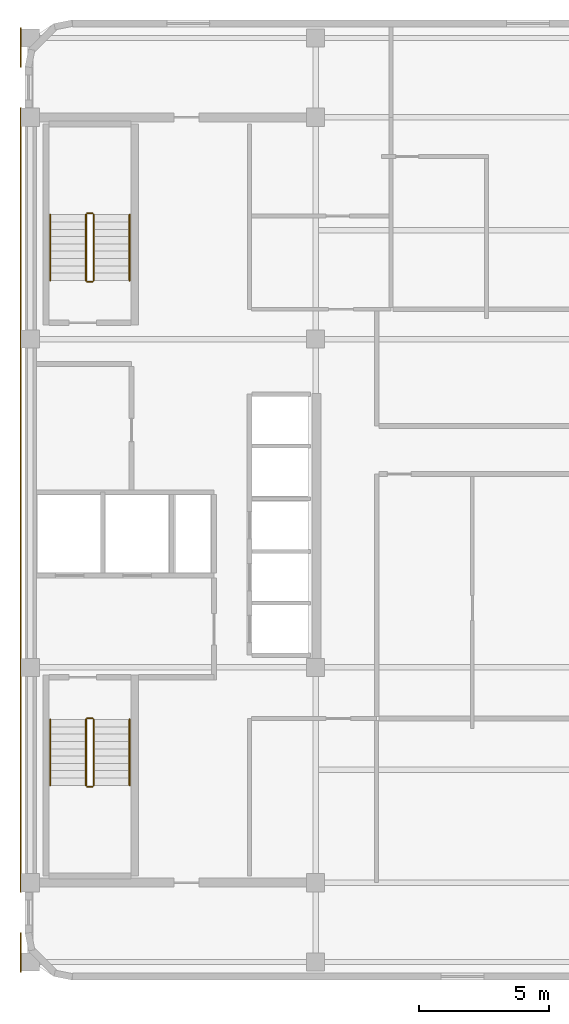
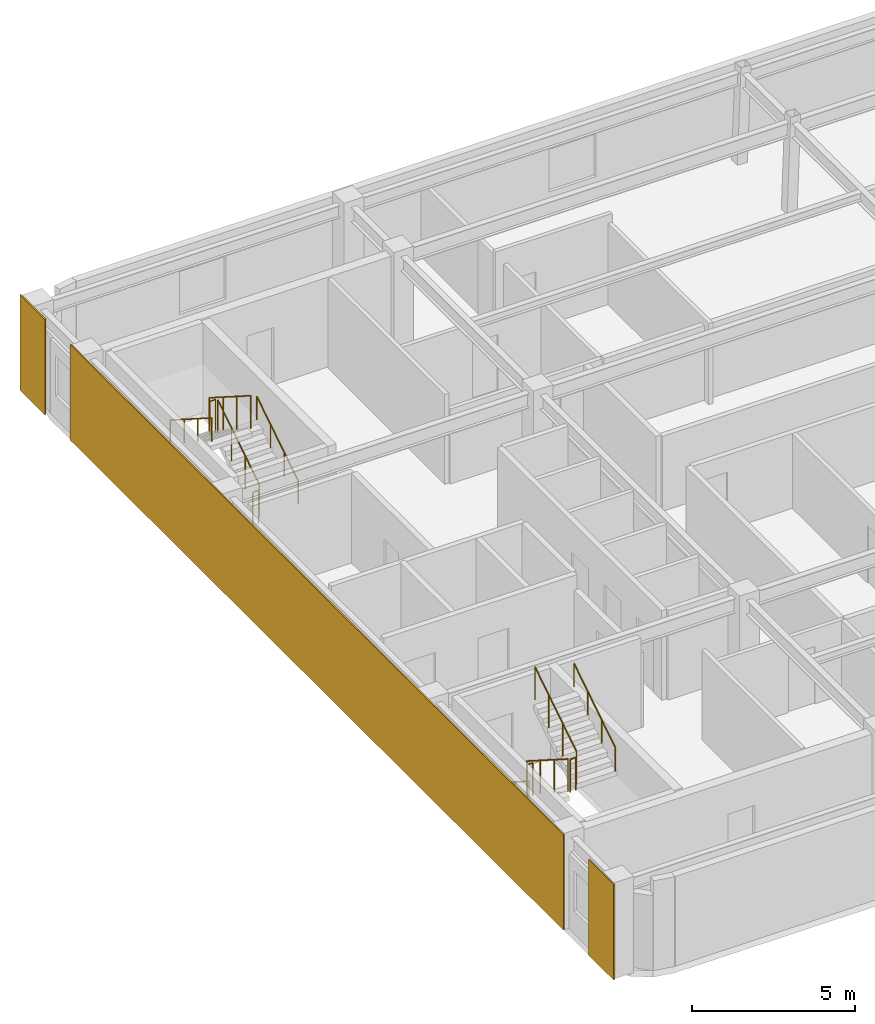
# One storey, part 6 of 6: 12 railings, 3 coverings.
"""IFC4 building model written with IfcOpenShell, lengths in metres."""

from ifc_helpers import new_model, si_unit, direction, frame, origin, origin_2d, place, context, subcontext, project, spatial, rectangle, circle, extrude, material, layer, layer_set, type_object, element, save


model = new_model("IFC4")

# Units and contexts
model_context = context("Model", 3, precision=1e-05, world=origin(), true_north=direction((0.0, 1.0)))
body_context = subcontext(model_context, "Body", "Model", "MODEL_VIEW")
ifc_project = project(units=[si_unit("LENGTHUNIT", "METRE"), si_unit("AREAUNIT", "SQUARE_METRE"), si_unit("VOLUMEUNIT", "CUBIC_METRE"), si_unit("PLANEANGLEUNIT", "RADIAN"), si_unit("MASSUNIT", "GRAM", prefix="KILO")], contexts=[model_context])

# Site, building, storey
site_placement = place(None, origin())
site = spatial("IfcSite", under=ifc_project, at=site_placement, CompositionType="ELEMENT")
building_placement = place(site_placement, origin())
building = spatial("IfcBuilding", under=site, at=building_placement, Name="Ochreholt Gables", CompositionType="ELEMENT")
storey_placement = place(building_placement, frame((0.0, 0.0, 260.39990234375)))
storey = spatial("IfcBuildingStorey", under=building, at=storey_placement, Name="L68", CompositionType="ELEMENT", Elevation=260.39990234375)

# Coverings
ifc_material_1 = material(Name="Glazed Ochre Terracotta Rainscreen Cladding", Category="masonry")
ifc_layer = layer(ifc_material_1, 0.044921875, Name="Glazed Ochre Terracotta Rainscreen Cladding")
ifc_layer_set = layer_set([ifc_layer], Name="Glazed Ochre Terracotta Rainscreen Cladding")
covering_type = type_object("IfcCoveringType", Name="COV-CLAD-TC", PredefinedType="CLADDING", material=ifc_layer_set)
covering_placement = place(storey_placement, frame((23.827880859375, 24.0, 0.010009765625), z_axis=(0.0, 0.0, 1.0), x_axis=(0.0, 1.0, 0.0)))
element("IfcCovering", 1, at=covering_placement, inside=storey, type_object=covering_type, Name="L68 West Core Terracotta Rainscreen Cladding", PredefinedType="CLADDING", context=body_context, shape_type="SweptSolid", body=[
    extrude(rectangle(XDim=30.239990234375, YDim=0.044921875, at=origin_2d()), origin(), (0.0, 0.0, 1.0), 3.580078125),
])
for number, where, z_axis, x_axis, name in (
    (2, (23.827880859375, 6.56005859375, 0.010009765625), (0.0, 0.0, 1.0), (0.0, 1.0, 0.0), "L68 South-West Pier Terracotta Cladding"),
    (3, (23.827880859375, 41.43994140625, 0.010009765625), (0.0, 0.0, 1.0), (0.0, 1.0, 0.0), "L68 North-West Pier Terracotta Cladding"),
):
    element("IfcCovering", number, at=place(storey_placement, frame(where, z_axis=z_axis, x_axis=x_axis)), inside=storey, type_object=covering_type, Name=name, PredefinedType="CLADDING", context=body_context, shape_type="SweptSolid", body=[
        extrude(rectangle(XDim=1.52001953125, YDim=0.044921875, at=origin_2d()), origin(), (0.0, 0.0, 1.0), 3.580078125),
    ])

# Railings
ifc_material_2 = material(Name="Painted Steel Stair Guardrail", Category="steel")
railing_type_1 = type_object("IfcRailingType", Name="RL-ST-GUARD", PredefinedType="GUARDRAIL", material=ifc_material_2)
railing_1_placement = place(storey_placement, frame((26.35009765625, 15.5400390625, 0.18017578125)))
element("IfcRailing", 4, at=railing_1_placement, inside=storey, type_object=railing_type_1, Name="L68 ST-1 stair guard 1", PredefinedType="GUARDRAIL", context=body_context, shape_type="SweptSolid", body=[
    extrude(circle(Radius=0.02392578125, at=origin_2d()), frame((0.0, 0.0, 1.22607421875), z_axis=(0.0, -0.842949592929, 0.537992549931), x_axis=(1.0, 0.0, 0.0)), (0.0, 0.0, 1.0), 3.010986328125),
    extrude(circle(Radius=0.02099609375, at=origin_2d()), origin(), (0.0, 0.0, 1.0), 1.201904296875),
    extrude(circle(Radius=0.02099609375, at=origin_2d()), frame((0.0, -0.845947265625, 0.5400390625)), (0.0, 0.0, 1.0), 1.201904296875),
    extrude(circle(Radius=0.02099609375, at=origin_2d()), frame((0.0, -1.692138671875, 1.079833984375)), (0.0, 0.0, 1.0), 1.201904296875),
    extrude(circle(Radius=0.02099609375, at=origin_2d()), frame((0.0, -2.5380859375, 1.619873046875)), (0.0, 0.0, 1.0), 1.201904296875),
])
railing_2_placement = place(storey_placement, frame((26.39990234375, 12.951904296875, 1.800048828125)))
element("IfcRailing", 5, at=railing_2_placement, inside=storey, type_object=railing_type_1, Name="L68 ST-1 stair guard 2", PredefinedType="GUARDRAIL", context=body_context, shape_type="SweptSolid", body=[
    extrude(circle(Radius=0.02392578125, at=origin_2d()), frame((0.0, 0.0, 1.22607421875), z_axis=(1.0, 0.0, 0.0), x_axis=(0.0, 1.0, 0.0)), (0.0, 0.0, 1.0), 0.2001953125),
    extrude(circle(Radius=0.02099609375, at=origin_2d()), origin(), (0.0, 0.0, 1.0), 1.201904296875),
    extrude(circle(Radius=0.02099609375, at=origin_2d()), frame((0.2001953125, 0.0, 0.0)), (0.0, 0.0, 1.0), 1.201904296875),
])
railing_3_placement = place(storey_placement, frame((26.64990234375, 13.001953125, 1.97998046875)))
element("IfcRailing", 6, at=railing_3_placement, inside=storey, type_object=railing_type_1, Name="L68 ST-1 stair guard 3", PredefinedType="GUARDRAIL", context=body_context, shape_type="SweptSolid", body=[
    extrude(circle(Radius=0.02392578125, at=origin_2d()), frame((0.0, 0.0, 1.22607421875), z_axis=(0.0, 0.842912820907, 0.538050161556), x_axis=(-1.0, 0.0, 0.0)), (0.0, 0.0, 1.0), 3.010986328125),
    extrude(circle(Radius=0.02099609375, at=origin_2d()), origin(), (0.0, 0.0, 1.0), 1.201904296875),
    extrude(circle(Radius=0.02099609375, at=origin_2d()), frame((0.0, 0.845947265625, 0.5400390625)), (0.0, 0.0, 1.0), 1.201904296875),
    extrude(circle(Radius=0.02099609375, at=origin_2d()), frame((0.0, 1.692138671875, 1.080078125)), (0.0, 0.0, 1.0), 1.201904296875),
    extrude(circle(Radius=0.02099609375, at=origin_2d()), frame((0.0, 2.5380859375, 1.6201171875)), (0.0, 0.0, 1.0), 1.201904296875),
])
railing_4_placement = place(storey_placement, frame((26.39990234375, 15.590087890625, 0.0)))
element("IfcRailing", 7, at=railing_4_placement, inside=storey, type_object=railing_type_1, Name="L68 ST-1 stair guard 4", PredefinedType="GUARDRAIL", context=body_context, shape_type="SweptSolid", body=[
    extrude(circle(Radius=0.02392578125, at=origin_2d()), frame((0.0, 0.0, 1.22607421875), z_axis=(1.0, 0.0, 0.0), x_axis=(0.0, 1.0, 0.0)), (0.0, 0.0, 1.0), 0.2001953125),
    extrude(circle(Radius=0.02099609375, at=origin_2d()), origin(), (0.0, 0.0, 1.0), 1.201904296875),
    extrude(circle(Radius=0.02099609375, at=origin_2d()), frame((0.2001953125, 0.0, 0.0)), (0.0, 0.0, 1.0), 1.201904296875),
])
railing_5_placement = place(storey_placement, frame((26.64990234375, 32.4599609375, 0.18017578125)))
element("IfcRailing", 8, at=railing_5_placement, inside=storey, type_object=railing_type_1, Name="L68 ST-2 stair guard 1", PredefinedType="GUARDRAIL", context=body_context, shape_type="SweptSolid", body=[
    extrude(circle(Radius=0.02392578125, at=origin_2d()), frame((0.0, 0.0, 1.22607421875), z_axis=(0.0, 0.842949592929, 0.537992549931), x_axis=(-1.0, 0.0, 0.0)), (0.0, 0.0, 1.0), 3.010986328125),
    extrude(circle(Radius=0.02099609375, at=origin_2d()), origin(), (0.0, 0.0, 1.0), 1.201904296875),
    extrude(circle(Radius=0.02099609375, at=origin_2d()), frame((0.0, 0.845947265625, 0.5400390625)), (0.0, 0.0, 1.0), 1.201904296875),
    extrude(circle(Radius=0.02099609375, at=origin_2d()), frame((0.0, 1.692138671875, 1.079833984375)), (0.0, 0.0, 1.0), 1.201904296875),
    extrude(circle(Radius=0.02099609375, at=origin_2d()), frame((0.0, 2.5380859375, 1.619873046875)), (0.0, 0.0, 1.0), 1.201904296875),
])
railing_6_placement = place(storey_placement, frame((26.60009765625, 35.048095703125, 1.800048828125)))
element("IfcRailing", 9, at=railing_6_placement, inside=storey, type_object=railing_type_1, Name="L68 ST-2 stair guard 2", PredefinedType="GUARDRAIL", context=body_context, shape_type="SweptSolid", body=[
    extrude(circle(Radius=0.02392578125, at=origin_2d()), frame((0.0, 0.0, 1.22607421875), z_axis=(-1.0, 0.0, 0.0), x_axis=(0.0, -1.0, 0.0)), (0.0, 0.0, 1.0), 0.2001953125),
    extrude(circle(Radius=0.02099609375, at=origin_2d()), origin(), (0.0, 0.0, 1.0), 1.201904296875),
    extrude(circle(Radius=0.02099609375, at=origin_2d()), frame((-0.2001953125, 0.0, 0.0)), (0.0, 0.0, 1.0), 1.201904296875),
])
railing_7_placement = place(storey_placement, frame((26.35009765625, 34.998046875, 1.97998046875)))
element("IfcRailing", 10, at=railing_7_placement, inside=storey, type_object=railing_type_1, Name="L68 ST-2 stair guard 3", PredefinedType="GUARDRAIL", context=body_context, shape_type="SweptSolid", body=[
    extrude(circle(Radius=0.02392578125, at=origin_2d()), frame((0.0, 0.0, 1.22607421875), z_axis=(0.0, -0.842912820907, 0.538050161556), x_axis=(1.0, 0.0, 0.0)), (0.0, 0.0, 1.0), 3.010986328125),
    extrude(circle(Radius=0.02099609375, at=origin_2d()), origin(), (0.0, 0.0, 1.0), 1.201904296875),
    extrude(circle(Radius=0.02099609375, at=origin_2d()), frame((0.0, -0.845947265625, 0.5400390625)), (0.0, 0.0, 1.0), 1.201904296875),
    extrude(circle(Radius=0.02099609375, at=origin_2d()), frame((0.0, -1.692138671875, 1.080078125)), (0.0, 0.0, 1.0), 1.201904296875),
    extrude(circle(Radius=0.02099609375, at=origin_2d()), frame((0.0, -2.5380859375, 1.6201171875)), (0.0, 0.0, 1.0), 1.201904296875),
])
railing_8_placement = place(storey_placement, frame((26.60009765625, 32.409912109375, 0.0)))
element("IfcRailing", 11, at=railing_8_placement, inside=storey, type_object=railing_type_1, Name="L68 ST-2 stair guard 4", PredefinedType="GUARDRAIL", context=body_context, shape_type="SweptSolid", body=[
    extrude(circle(Radius=0.02392578125, at=origin_2d()), frame((0.0, 0.0, 1.22607421875), z_axis=(-1.0, 0.0, 0.0), x_axis=(0.0, -1.0, 0.0)), (0.0, 0.0, 1.0), 0.2001953125),
    extrude(circle(Radius=0.02099609375, at=origin_2d()), origin(), (0.0, 0.0, 1.0), 1.201904296875),
    extrude(circle(Radius=0.02099609375, at=origin_2d()), frame((-0.2001953125, 0.0, 0.0)), (0.0, 0.0, 1.0), 1.201904296875),
])
ifc_material_3 = material(Name="Brushed Stainless Steel Wall Handrail", Category="steel")
railing_type_2 = type_object("IfcRailingType", Name="RL-ST-HAND", PredefinedType="HANDRAIL", material=ifc_material_3)
railing_9_placement = place(storey_placement, frame((24.969970703125, 15.5400390625, 0.18017578125)))
element("IfcRailing", 12, at=railing_9_placement, inside=storey, type_object=railing_type_2, Name="L68 ST-1 stair handrail 1", PredefinedType="HANDRAIL", context=body_context, shape_type="SweptSolid", body=[
    extrude(circle(Radius=0.02392578125, at=origin_2d()), frame((0.0, 0.0, 0.8759765625), z_axis=(0.0, -0.842949592929, 0.537992549931), x_axis=(1.0, 0.0, 0.0)), (0.0, 0.0, 1.0), 3.010986328125),
    extrude(circle(Radius=0.02099609375, at=origin_2d()), origin(), (0.0, 0.0, 1.0), 0.851806640625),
    extrude(circle(Radius=0.02099609375, at=origin_2d()), frame((0.0, -0.845947265625, 0.5400390625)), (0.0, 0.0, 1.0), 0.851806640625),
    extrude(circle(Radius=0.02099609375, at=origin_2d()), frame((0.0, -1.692138671875, 1.079833984375)), (0.0, 0.0, 1.0), 0.851806640625),
    extrude(circle(Radius=0.02099609375, at=origin_2d()), frame((0.0, -2.5380859375, 1.619873046875)), (0.0, 0.0, 1.0), 0.851806640625),
])
railing_10_placement = place(storey_placement, frame((28.030029296875, 13.001953125, 1.97998046875)))
element("IfcRailing", 13, at=railing_10_placement, inside=storey, type_object=railing_type_2, Name="L68 ST-1 stair handrail 2", PredefinedType="HANDRAIL", context=body_context, shape_type="SweptSolid", body=[
    extrude(circle(Radius=0.02392578125, at=origin_2d()), frame((0.0, 0.0, 0.8759765625), z_axis=(0.0, 0.842912820907, 0.538050161556), x_axis=(-1.0, 0.0, 0.0)), (0.0, 0.0, 1.0), 3.010986328125),
    extrude(circle(Radius=0.02099609375, at=origin_2d()), origin(), (0.0, 0.0, 1.0), 0.851806640625),
    extrude(circle(Radius=0.02099609375, at=origin_2d()), frame((0.0, 0.845947265625, 0.5400390625)), (0.0, 0.0, 1.0), 0.851806640625),
    extrude(circle(Radius=0.02099609375, at=origin_2d()), frame((0.0, 1.692138671875, 1.080078125)), (0.0, 0.0, 1.0), 0.851806640625),
    extrude(circle(Radius=0.02099609375, at=origin_2d()), frame((0.0, 2.5380859375, 1.6201171875)), (0.0, 0.0, 1.0), 0.851806640625),
])
railing_11_placement = place(storey_placement, frame((28.030029296875, 32.4599609375, 0.18017578125)))
element("IfcRailing", 14, at=railing_11_placement, inside=storey, type_object=railing_type_2, Name="L68 ST-2 stair handrail 1", PredefinedType="HANDRAIL", context=body_context, shape_type="SweptSolid", body=[
    extrude(circle(Radius=0.02392578125, at=origin_2d()), frame((0.0, 0.0, 0.8759765625), z_axis=(0.0, 0.842949592929, 0.537992549931), x_axis=(-1.0, 0.0, 0.0)), (0.0, 0.0, 1.0), 3.010986328125),
    extrude(circle(Radius=0.02099609375, at=origin_2d()), origin(), (0.0, 0.0, 1.0), 0.851806640625),
    extrude(circle(Radius=0.02099609375, at=origin_2d()), frame((0.0, 0.845947265625, 0.5400390625)), (0.0, 0.0, 1.0), 0.851806640625),
    extrude(circle(Radius=0.02099609375, at=origin_2d()), frame((0.0, 1.692138671875, 1.079833984375)), (0.0, 0.0, 1.0), 0.851806640625),
    extrude(circle(Radius=0.02099609375, at=origin_2d()), frame((0.0, 2.5380859375, 1.619873046875)), (0.0, 0.0, 1.0), 0.851806640625),
])
railing_12_placement = place(storey_placement, frame((24.969970703125, 34.998046875, 1.97998046875)))
element("IfcRailing", 15, at=railing_12_placement, inside=storey, type_object=railing_type_2, Name="L68 ST-2 stair handrail 2", PredefinedType="HANDRAIL", context=body_context, shape_type="SweptSolid", body=[
    extrude(circle(Radius=0.02392578125, at=origin_2d()), frame((0.0, 0.0, 0.8759765625), z_axis=(0.0, -0.842912820907, 0.538050161556), x_axis=(1.0, 0.0, 0.0)), (0.0, 0.0, 1.0), 3.010986328125),
    extrude(circle(Radius=0.02099609375, at=origin_2d()), origin(), (0.0, 0.0, 1.0), 0.851806640625),
    extrude(circle(Radius=0.02099609375, at=origin_2d()), frame((0.0, -0.845947265625, 0.5400390625)), (0.0, 0.0, 1.0), 0.851806640625),
    extrude(circle(Radius=0.02099609375, at=origin_2d()), frame((0.0, -1.692138671875, 1.080078125)), (0.0, 0.0, 1.0), 0.851806640625),
    extrude(circle(Radius=0.02099609375, at=origin_2d()), frame((0.0, -2.5380859375, 1.6201171875)), (0.0, 0.0, 1.0), 0.851806640625),
])

save(model, "model.ifc")
